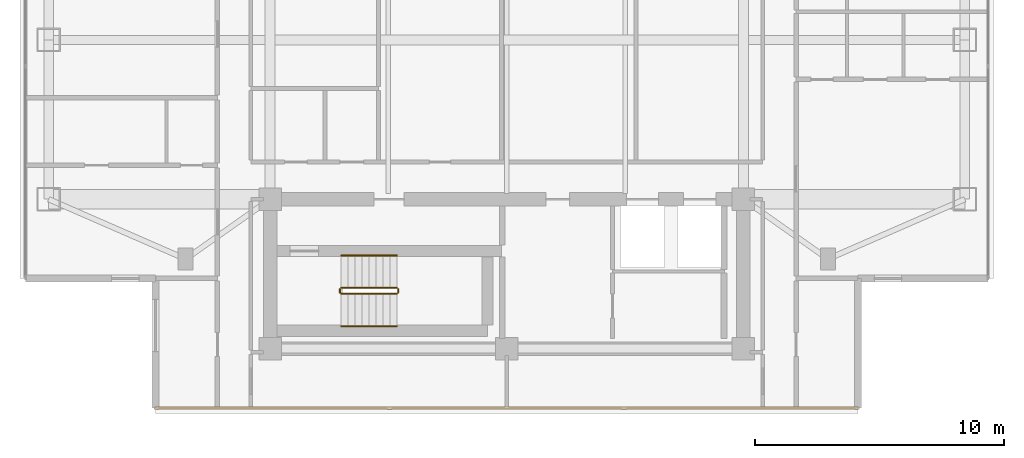
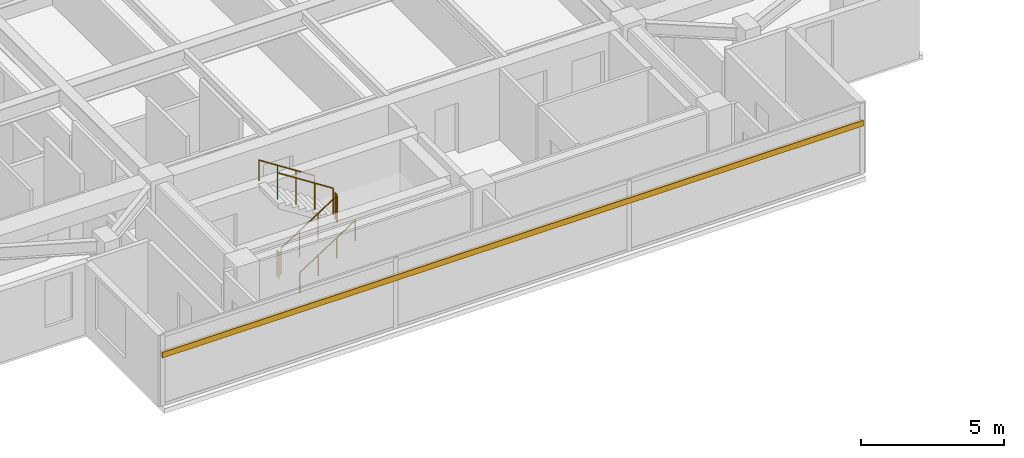
# One storey, part 19 of 23: 6 railings, 1 shading device.
"""IFC4 building model written with IfcOpenShell, lengths in metres."""

import ifcopenshell
import ifcopenshell.guid

model = None  # the IFC model being written
_history = None  # IfcOwnerHistory: only IFC2X3 demands one
_inside = {}  # id of a spatial element -> (the spatial element, [elements in it])
_under = {}  # id of a project, library or spatial element -> (it, [spatial elements below it])
_declared = {}  # id of a project -> (the project, [libraries it declares])
_typed = {}  # id of a type object -> (the type object, [elements of that type])
_made_of = {}  # id of a material, layer set ... -> (it, [elements and type objects made of it])


def new_model(schema):
    """Start an empty IFC model of exactly this schema.

    Asked for "IFC4X3", IfcOpenShell would pick the latest addendum, in which some entities
    have other attributes; the version numbers below select the first issue.
    IFC2X3 requires an IfcOwnerHistory on every rooted entity: one is made here for all.
    """
    global model, _history
    if schema == "IFC4X3":
        model = ifcopenshell.file(schema_version=(4, 3, 0, 0))
    else:
        model = ifcopenshell.file(schema=schema)
    _inside.clear()
    _under.clear()
    _declared.clear()
    _typed.clear()
    _made_of.clear()
    _history = None
    if model.schema == "IFC2X3":
        org = make("IfcOrganization", Name="unknown")
        user = make(
            "IfcPersonAndOrganization",
            ThePerson=make("IfcPerson", FamilyName="unknown"),
            TheOrganization=org,
        )
        app = make(
            "IfcApplication",
            ApplicationDeveloper=org,
            Version="unknown",
            ApplicationFullName="unknown",
            ApplicationIdentifier="unknown",
        )
        _history = make(
            "IfcOwnerHistory",
            OwningUser=user,
            OwningApplication=app,
            ChangeAction="ADDED",
            CreationDate=0,
        )
    return model


def make(cls, **values):
    """One entity of the class cls with the attributes given. An attribute that is None is left unset."""
    return model.create_entity(
        cls, **{name: value for name, value in values.items() if value is not None}
    )


def rooted(cls, **values):
    """An entity with a GlobalId (a new one), such as an element, a storey or a relation."""
    return make(cls, GlobalId=ifcopenshell.guid.new(), OwnerHistory=_history, **values)


def si_unit(unit_type, name, prefix=None):
    """IfcSIUnit, for example si_unit("LENGTHUNIT", "METRE", prefix="MILLI")."""
    return make("IfcSIUnit", UnitType=unit_type, Prefix=prefix, Name=name)


def assignment(units):
    """IfcUnitAssignment: the units of a project."""
    return None if units is None else make("IfcUnitAssignment", Units=units)


def point(xyz):
    """IfcCartesianPoint."""
    return None if xyz is None else make("IfcCartesianPoint", Coordinates=xyz)


def direction(xyz):
    """IfcDirection."""
    return None if xyz is None else make("IfcDirection", DirectionRatios=xyz)


def frame(location, z_axis=None, x_axis=None):
    """IfcAxis2Placement3D, a coordinate frame: its origin and axes. An axis left out is left unset."""
    return make(
        "IfcAxis2Placement3D",
        Location=point(location),
        Axis=direction(z_axis),
        RefDirection=direction(x_axis),
    )


def frame_2d(location, x_axis=None):
    """IfcAxis2Placement2D, a coordinate frame in the plane: its origin and x axis."""
    return make(
        "IfcAxis2Placement2D", Location=point(location), RefDirection=direction(x_axis)
    )


def origin():
    """The frame at (0, 0, 0) with its axes left unset."""
    return frame((0.0, 0.0, 0.0))


def origin_2d():
    """The frame at (0, 0) in the plane with its x axis left unset."""
    return frame_2d((0.0, 0.0))


def place(relative_to, where):
    """IfcLocalPlacement: puts the frame where relative to a parent placement (None: the world)."""
    return make(
        "IfcLocalPlacement", PlacementRelTo=relative_to, RelativePlacement=where
    )


def context(
    kind, dimensions, precision=None, world=None, true_north=None, identifier=None
):
    """IfcGeometricRepresentationContext, for example the 3D "Model" context."""
    return make(
        "IfcGeometricRepresentationContext",
        ContextIdentifier=identifier,
        ContextType=kind,
        CoordinateSpaceDimension=dimensions,
        Precision=precision,
        WorldCoordinateSystem=world,
        TrueNorth=true_north,
    )


def subcontext(parent, identifier, kind, view, scale=None):
    """IfcGeometricRepresentationSubContext, for example "Body" below "Model"."""
    return make(
        "IfcGeometricRepresentationSubContext",
        ContextIdentifier=identifier,
        ContextType=kind,
        ParentContext=parent,
        TargetScale=scale,
        TargetView=view,
    )


def project(units=None, contexts=None):
    """IfcProject with its units and contexts."""
    return rooted(
        "IfcProject",
        Name="project",
        RepresentationContexts=contexts,
        UnitsInContext=assignment(units),
    )


def spatial(cls, under=None, at=None, **own):
    """A site, building, storey or space (cls), placed at a placement, below another one or the project."""
    s = rooted(cls, ObjectPlacement=at, **own)
    if under is not None:
        _under.setdefault(under.id(), (under, []))[1].append(s)
    return s


def profile(cls, at=None, kind="AREA", **sizes):
    """A parametric profile (cls). Its sizes go by their IFC names, for example OverallWidth=200.0."""
    return make(cls, ProfileType=kind, Position=at, **sizes)


def rectangle(**sizes):
    """IfcRectangleProfileDef."""
    return profile("IfcRectangleProfileDef", **sizes)


def circle(**sizes):
    """IfcCircleProfileDef."""
    return profile("IfcCircleProfileDef", **sizes)


def extrude(swept, where, along, depth):
    """IfcExtrudedAreaSolid: the profile swept, set in the frame where, extruded along a direction by depth."""
    return make(
        "IfcExtrudedAreaSolid",
        SweptArea=swept,
        Position=where,
        ExtrudedDirection=direction(along),
        Depth=depth,
    )


def shape(context_of_items, identifier, shape_type, items):
    """IfcShapeRepresentation: the items that make up one representation, for example the "Body"."""
    return make(
        "IfcShapeRepresentation",
        ContextOfItems=context_of_items,
        RepresentationIdentifier=identifier,
        RepresentationType=shape_type,
        Items=items,
    )


def material(Name=None, Category=None):
    """IfcMaterial."""
    return make("IfcMaterial", Name=Name, Category=Category)


def material_profile(
    of_material, cross_section, Name=None, Category=None, Priority=None
):
    """IfcMaterialProfile: a cross section and its material."""
    return make(
        "IfcMaterialProfile",
        Name=Name,
        Material=of_material,
        Profile=cross_section,
        Priority=Priority,
        Category=Category,
    )


def profile_set(profiles, Name=None, composite=None):
    """IfcMaterialProfileSet."""
    return make(
        "IfcMaterialProfileSet",
        Name=Name,
        MaterialProfiles=profiles,
        CompositeProfile=composite,
    )


def made_of(thing, what):
    """Note that an element or type object is made of a material, layer set ...; save() writes the relation."""
    if what is not None:
        _made_of.setdefault(what.id(), (what, []))[1].append(thing)
    return thing


def type_object(cls, material=None, **own):
    """A type object (cls), such as IfcWallType, which elements share."""
    return made_of(rooted(cls, **own), material)


def element(
    cls,
    number,
    at=None,
    inside=None,
    cuts=None,
    type_object=None,
    material=None,
    context=None,
    identifier="Body",
    shape_type=None,
    held_by="IfcProductDefinitionShape",
    body=None,
    shapes=None,
    **own,
):
    """One element of the class cls, such as IfcWall. Its Tag is "e" and its number.

    at: its placement. inside: the storey or other place that contains it. cuts: it is an
    opening in that element (IfcRelVoidsElement). A single representation is given by context,
    identifier, shape_type and body (its items); several are given by shapes. held_by: the class
    of the entity that holds the representations. save() writes the other relations.
    """
    e = rooted(cls, Tag="e%d" % number, ObjectPlacement=at, **own)
    if body is not None:
        shapes = [shape(context, identifier, shape_type, body)]
    if shapes is not None:
        e.Representation = make(held_by, Representations=shapes)
    if inside is not None:
        _inside.setdefault(inside.id(), (inside, []))[1].append(e)
    if cuts is not None:
        rooted(
            "IfcRelVoidsElement", RelatingBuildingElement=cuts, RelatedOpeningElement=e
        )
    if type_object is not None:
        _typed.setdefault(type_object.id(), (type_object, []))[1].append(e)
    return made_of(e, material)


def aggregate(whole, parts):
    """IfcRelAggregates: a whole, such as a stair, and the parts it consists of."""
    return rooted("IfcRelAggregates", RelatingObject=whole, RelatedObjects=parts)


def save(model, path):
    """Write the relations noted so far, then the file.

    IfcRelAggregates (storeys below a building ...), IfcRelContainedInSpatialStructure (elements
    in a storey), IfcRelDefinesByType, IfcRelAssociatesMaterial and IfcRelDeclares: one each for
    every whole, place, type object, material and project.
    """
    for whole, parts in _under.values():
        aggregate(whole, parts)
    for where, things in _inside.values():
        rooted(
            "IfcRelContainedInSpatialStructure",
            RelatedElements=things,
            RelatingStructure=where,
        )
    for kind, things in _typed.values():
        rooted("IfcRelDefinesByType", RelatedObjects=things, RelatingType=kind)
    for what, things in _made_of.values():
        rooted("IfcRelAssociatesMaterial", RelatedObjects=things, RelatingMaterial=what)
    for by, libraries in _declared.values():
        rooted("IfcRelDeclares", RelatingContext=by, RelatedDefinitions=libraries)
    model.write(path)


model = new_model("IFC4")

# Units and contexts
model_context = context("Model", 3, precision=1e-05, world=origin(), true_north=direction((0.0, 1.0)))
body_context = subcontext(model_context, "Body", "Model", "MODEL_VIEW")
ifc_project = project(units=[si_unit("LENGTHUNIT", "METRE"), si_unit("AREAUNIT", "SQUARE_METRE"), si_unit("VOLUMEUNIT", "CUBIC_METRE"), si_unit("PLANEANGLEUNIT", "RADIAN"), si_unit("MASSUNIT", "GRAM", prefix="KILO")], contexts=[model_context])

# Site, building, storey
site_placement = place(None, origin())
site = spatial("IfcSite", under=ifc_project, at=site_placement, CompositionType="ELEMENT")
building_placement = place(site_placement, origin())
building = spatial("IfcBuilding", under=site, at=building_placement, Name="Mirazonda Arch Towers", CompositionType="ELEMENT")
storey_placement = place(building_placement, frame((0.0, 0.0, 183.64990234375)))
storey = spatial("IfcBuildingStorey", under=building, at=storey_placement, Name="L52", CompositionType="ELEMENT", Elevation=183.64990234375)

# Shading device
ifc_material_1 = material(Name="Kiln-Fired Architectural Terracotta", Category="masonry")
ifc_material_profile = material_profile(ifc_material_1, rectangle(XDim=0.1201171875, YDim=0.239990234375, at=origin_2d()), Name="TERRA-BAG-120x240")
ifc_profile_set = profile_set([ifc_material_profile], Name="Kiln-Fired Architectural Terracotta")
shading_device_type = type_object("IfcShadingDeviceType", Name="BAGUETTE-1", PredefinedType="USERDEFINED", material=ifc_profile_set)
shading_device_placement = place(storey_placement, frame((34.614990234375, 10.010009765625, 2.181640625), z_axis=(-1.0, 0.0, 0.0), x_axis=(0.0, -1.0, 0.0)))
element("IfcShadingDevice", 1, at=shading_device_placement, inside=storey, type_object=shading_device_type, Name="L52 Glazed Terracotta Sun-Screen Baguette CW-L52-T1-S", ObjectType="BAGUETTE", PredefinedType="USERDEFINED", context=body_context, shape_type="SweptSolid", body=[
    extrude(rectangle(XDim=0.1201171875, YDim=0.239990234375, at=origin_2d()), origin(), (0.0, 0.0, 1.0), 28.22998046875),
])

# Railings
ifc_material_2 = material(Name="Architectural Brushed Steel S355", Category="steel")
railing_type_1 = type_object("IfcRailingType", Name="GUARD-STAIR-1120", PredefinedType="GUARDRAIL", material=ifc_material_2)
railing_1_placement = place(storey_placement, frame((13.85009765625, 14.60009765625, 0.1806640625)))
element("IfcRailing", 2, at=railing_1_placement, inside=storey, type_object=railing_type_1, Name="L52 ST-T1S stair guard 1", PredefinedType="GUARDRAIL", context=body_context, shape_type="SweptSolid", body=[
    extrude(circle(Radius=0.02392578125, at=origin_2d()), frame((0.0, 0.0, 1.1259765625), z_axis=(0.840436612492, 0.0, 0.541909863706), x_axis=(0.0, 1.0, 0.0)), (0.0, 0.0, 1.0), 2.665283203125),
    extrude(circle(Radius=0.02099609375, at=origin_2d()), origin(), (0.0, 0.0, 1.0), 1.101806640625),
    extrude(circle(Radius=0.02099609375, at=origin_2d()), frame((0.74658203125, 0.0, 0.4814453125)), (0.0, 0.0, 1.0), 1.101806640625),
    extrude(circle(Radius=0.02099609375, at=origin_2d()), frame((1.493408203125, 0.0, 0.962890625)), (0.0, 0.0, 1.0), 1.101806640625),
    extrude(circle(Radius=0.02099609375, at=origin_2d()), frame((2.239990234375, 0.0, 1.4443359375)), (0.0, 0.0, 1.0), 1.101806640625),
])
railing_2_placement = place(storey_placement, frame((16.139892578125, 14.64990234375, 1.625)))
element("IfcRailing", 3, at=railing_2_placement, inside=storey, type_object=railing_type_1, Name="L52 ST-T1S stair guard 2", PredefinedType="GUARDRAIL", context=body_context, shape_type="SweptSolid", body=[
    extrude(circle(Radius=0.02392578125, at=origin_2d()), frame((0.0, 0.0, 1.1259765625), z_axis=(0.0, 1.0, 0.0), x_axis=(-1.0, 0.0, 0.0)), (0.0, 0.0, 1.0), 0.14013671875),
    extrude(circle(Radius=0.02099609375, at=origin_2d()), origin(), (0.0, 0.0, 1.0), 1.101806640625),
    extrude(circle(Radius=0.02099609375, at=origin_2d()), frame((0.0, 0.14013671875, 0.0)), (0.0, 0.0, 1.0), 1.101806640625),
])
railing_3_placement = place(storey_placement, frame((16.090087890625, 14.840087890625, 1.8056640625)))
element("IfcRailing", 4, at=railing_3_placement, inside=storey, type_object=railing_type_1, Name="L52 ST-T1S stair guard 3", PredefinedType="GUARDRAIL", context=body_context, shape_type="SweptSolid", body=[
    extrude(circle(Radius=0.02392578125, at=origin_2d()), frame((0.0, 0.0, 1.1259765625), z_axis=(-0.840436612492, 0.0, 0.541909863706), x_axis=(0.0, -1.0, 0.0)), (0.0, 0.0, 1.0), 2.665283203125),
    extrude(circle(Radius=0.02099609375, at=origin_2d()), origin(), (0.0, 0.0, 1.0), 1.101806640625),
    extrude(circle(Radius=0.02099609375, at=origin_2d()), frame((-0.74658203125, 0.0, 0.4814453125)), (0.0, 0.0, 1.0), 1.101806640625),
    extrude(circle(Radius=0.02099609375, at=origin_2d()), frame((-1.493408203125, 0.0, 0.962890625)), (0.0, 0.0, 1.0), 1.101806640625),
    extrude(circle(Radius=0.02099609375, at=origin_2d()), frame((-2.239990234375, 0.0, 1.4443359375)), (0.0, 0.0, 1.0), 1.101806640625),
])
railing_4_placement = place(storey_placement, frame((13.800048828125, 14.64990234375, 0.0)))
element("IfcRailing", 5, at=railing_4_placement, inside=storey, type_object=railing_type_1, Name="L52 ST-T1S stair guard 4", PredefinedType="GUARDRAIL", context=body_context, shape_type="SweptSolid", body=[
    extrude(circle(Radius=0.02392578125, at=origin_2d()), frame((0.0, 0.0, 1.1259765625), z_axis=(0.0, 1.0, 0.0), x_axis=(-1.0, 0.0, 0.0)), (0.0, 0.0, 1.0), 0.14013671875),
    extrude(circle(Radius=0.02099609375, at=origin_2d()), origin(), (0.0, 0.0, 1.0), 1.101806640625),
    extrude(circle(Radius=0.02099609375, at=origin_2d()), frame((0.0, 0.14013671875, 0.0)), (0.0, 0.0, 1.0), 1.101806640625),
])
railing_type_2 = type_object("IfcRailingType", Name="HANDRAIL-915", PredefinedType="HANDRAIL", material=ifc_material_2)
railing_5_placement = place(storey_placement, frame((13.85009765625, 13.300048828125, 0.1806640625)))
element("IfcRailing", 6, at=railing_5_placement, inside=storey, type_object=railing_type_2, Name="L52 ST-T1S stair handrail 1", PredefinedType="HANDRAIL", context=body_context, shape_type="SweptSolid", body=[
    extrude(circle(Radius=0.02392578125, at=origin_2d()), frame((0.0, 0.0, 0.8759765625), z_axis=(0.840436612492, 0.0, 0.541909863706), x_axis=(0.0, 1.0, 0.0)), (0.0, 0.0, 1.0), 2.665283203125),
    extrude(circle(Radius=0.02099609375, at=origin_2d()), origin(), (0.0, 0.0, 1.0), 0.851806640625),
    extrude(circle(Radius=0.02099609375, at=origin_2d()), frame((0.74658203125, 0.0, 0.4814453125)), (0.0, 0.0, 1.0), 0.851806640625),
    extrude(circle(Radius=0.02099609375, at=origin_2d()), frame((1.493408203125, 0.0, 0.962890625)), (0.0, 0.0, 1.0), 0.851806640625),
    extrude(circle(Radius=0.02099609375, at=origin_2d()), frame((2.239990234375, 0.0, 1.4443359375)), (0.0, 0.0, 1.0), 0.851806640625),
])
railing_6_placement = place(storey_placement, frame((16.090087890625, 16.139892578125, 1.8056640625)))
element("IfcRailing", 7, at=railing_6_placement, inside=storey, type_object=railing_type_2, Name="L52 ST-T1S stair handrail 2", PredefinedType="HANDRAIL", context=body_context, shape_type="SweptSolid", body=[
    extrude(circle(Radius=0.02392578125, at=origin_2d()), frame((0.0, 0.0, 0.8759765625), z_axis=(-0.840436612492, 0.0, 0.541909863706), x_axis=(0.0, -1.0, 0.0)), (0.0, 0.0, 1.0), 2.665283203125),
    extrude(circle(Radius=0.02099609375, at=origin_2d()), origin(), (0.0, 0.0, 1.0), 0.851806640625),
    extrude(circle(Radius=0.02099609375, at=origin_2d()), frame((-0.74658203125, 0.0, 0.4814453125)), (0.0, 0.0, 1.0), 0.851806640625),
    extrude(circle(Radius=0.02099609375, at=origin_2d()), frame((-1.493408203125, 0.0, 0.962890625)), (0.0, 0.0, 1.0), 0.851806640625),
    extrude(circle(Radius=0.02099609375, at=origin_2d()), frame((-2.239990234375, 0.0, 1.4443359375)), (0.0, 0.0, 1.0), 0.851806640625),
])

save(model, "model.ifc")
